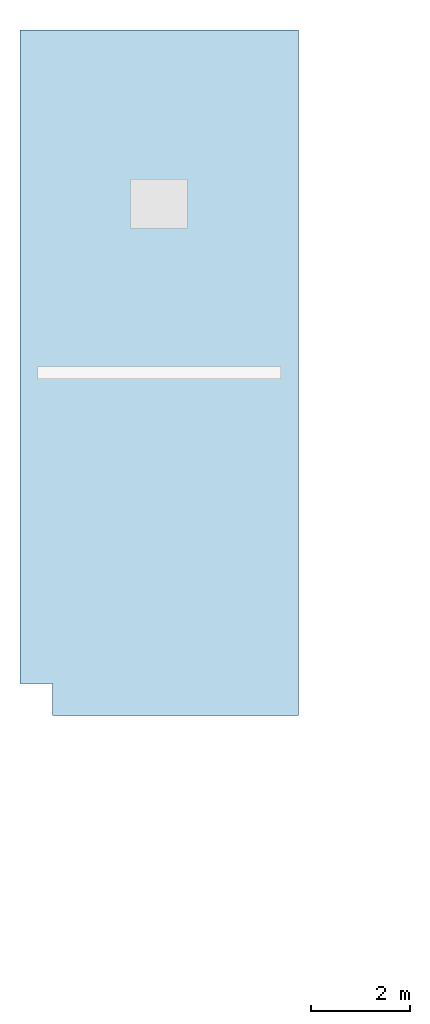
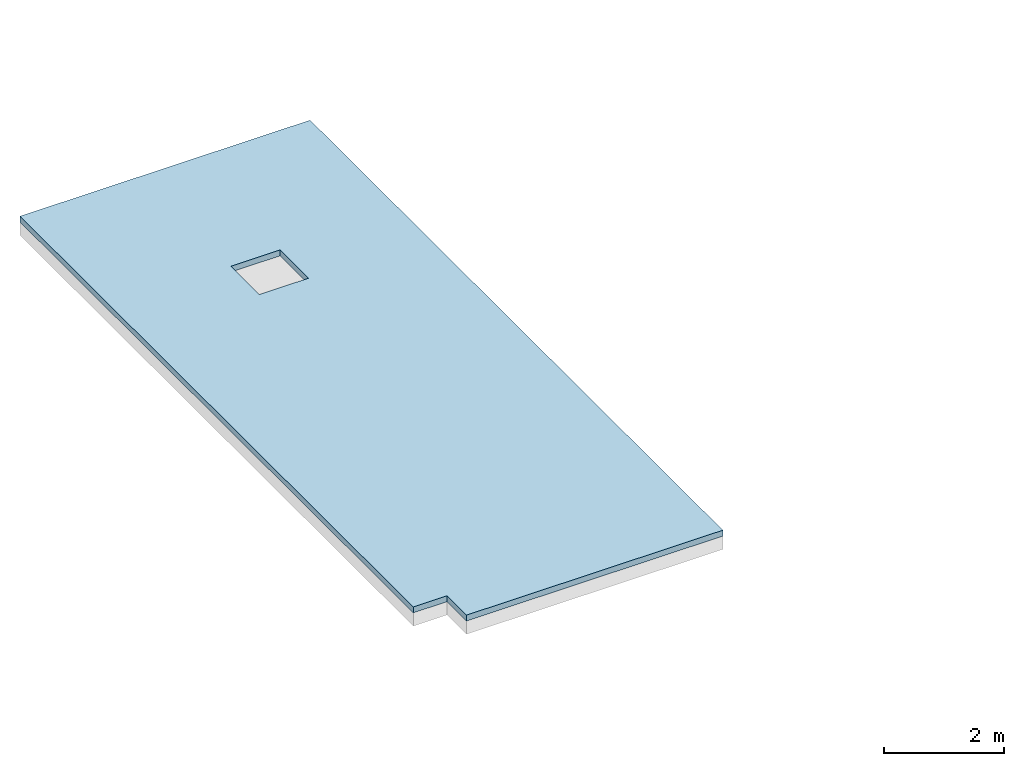
# One storey, part 52 of 57: 1 roof.
"""IFC4 building model written with IfcOpenShell, lengths in metres."""

from ifc_helpers import new_model, si_unit, direction, frame, origin, place, context, subcontext, project, spatial, polyline, outline, extrude, material, layer, layer_set, type_object, element, save


model = new_model("IFC4")

# Units and contexts
model_context = context("Model", 3, precision=1e-05, world=origin(), true_north=direction((0.0, 1.0)))
body_context = subcontext(model_context, "Body", "Model", "MODEL_VIEW")
ifc_project = project(units=[si_unit("LENGTHUNIT", "METRE"), si_unit("AREAUNIT", "SQUARE_METRE"), si_unit("VOLUMEUNIT", "CUBIC_METRE"), si_unit("PLANEANGLEUNIT", "RADIAN"), si_unit("MASSUNIT", "GRAM", prefix="KILO")], contexts=[model_context])

# Site, building, storey
site_placement = place(None, origin())
site = spatial("IfcSite", under=ifc_project, at=site_placement, CompositionType="ELEMENT")
building_placement = place(site_placement, origin())
building = spatial("IfcBuilding", under=site, at=building_placement, Name="Trelmorton Wharf Fire Station", CompositionType="ELEMENT")
storey_placement = place(building_placement, frame((0.0, 0.0, 13.5)))
storey = spatial("IfcBuildingStorey", under=building, at=storey_placement, Name="L03", CompositionType="ELEMENT", Elevation=13.5)

# Roof
ifc_material = material(Name="Planted roof substrate and sedum")
ifc_layer = layer(ifc_material, 0.1201171875)
ifc_layer_set = layer_set([ifc_layer], Name="Planted roof substrate and sedum")
roof_type = type_object("IfcRoofType", Name="RF_PLANTED_DECK", PredefinedType="FLAT_ROOF", material=ifc_layer_set)
roof_placement = place(storey_placement, origin())
element("IfcRoof", 1, at=roof_placement, inside=storey, type_object=roof_type, Name="RF-FLAT-V6-HH", PredefinedType="FLAT_ROOF", context=body_context, shape_type="SweptSolid", body=[
    extrude(outline(polyline([(23.199951171875, 81.0), (23.199951171875, 67.199951171875), (18.25, 67.199951171875), (18.25, 67.85009765625), (17.60009765625, 67.85009765625), (17.60009765625, 81.0), (23.199951171875, 81.0)]), holes=[polyline([(20.875, 77.97509765625), (19.925048828125, 77.97509765625), (19.925048828125, 77.02490234375), (20.875, 77.02490234375), (20.875, 77.97509765625)])]), origin(), (0.0, 0.0, 1.0), 0.1201171875),
])

save(model, "model.ifc")
